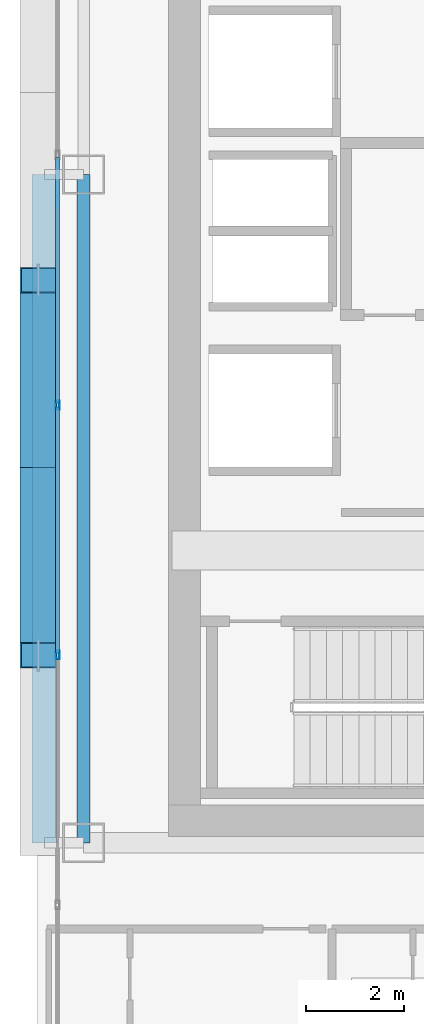
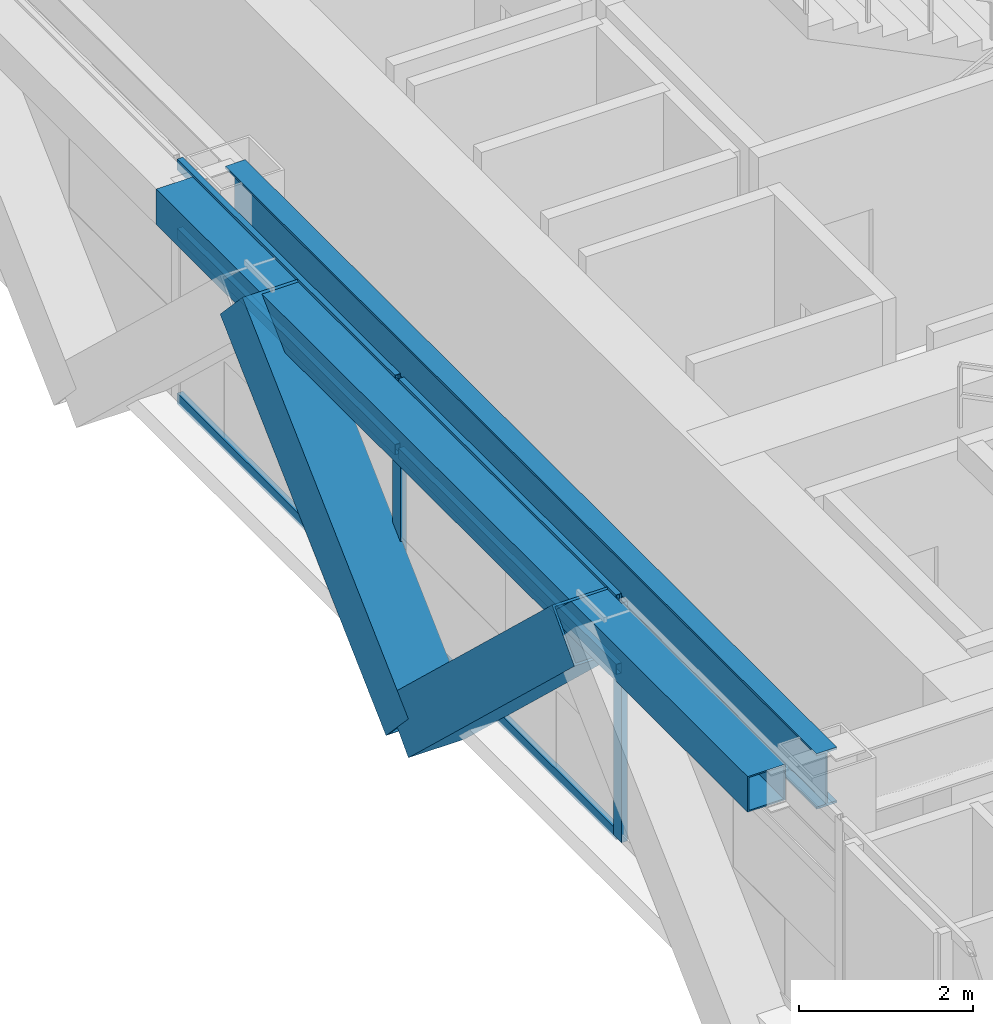
# One storey, part 6 of 36: 10 members, 2 beams, 1 element without a shape of its own.
"""IFC4 building model written with IfcOpenShell, lengths in metres."""

from ifc_helpers import new_model, si_unit, direction, frame, origin, origin_2d, place, context, subcontext, project, spatial, hollow_rectangle, i_section, extrude, source, transform, mapped, material, layer, layer_set, material_profile, profile_set, type_object, element, aggregate, save


model = new_model("IFC4")

# Units and contexts
model_context = context("Model", 3, precision=1e-05, world=origin(), true_north=direction((0.0, 1.0)))
body_context = subcontext(model_context, "Body", "Model", "MODEL_VIEW")
ifc_project = project(units=[si_unit("LENGTHUNIT", "METRE"), si_unit("AREAUNIT", "SQUARE_METRE"), si_unit("VOLUMEUNIT", "CUBIC_METRE"), si_unit("PLANEANGLEUNIT", "RADIAN"), si_unit("MASSUNIT", "GRAM", prefix="KILO")], contexts=[model_context])

# Site, building, storey
site_placement = place(None, origin())
site = spatial("IfcSite", under=ifc_project, at=site_placement, CompositionType="ELEMENT")
building_placement = place(site_placement, origin())
building = spatial("IfcBuilding", under=site, at=building_placement, Name="Ocotamira Hotel", CompositionType="ELEMENT")
storey_placement = place(building_placement, frame((0.0, 0.0, 97.199951171875)))
storey = spatial("IfcBuildingStorey", under=building, at=storey_placement, Name="L23", CompositionType="ELEMENT", Elevation=97.199951171875)

# Beams
ifc_material_1 = material(Name="Steel ASTM A992 Grade 50", Category="steel")
ifc_material_profile_1 = material_profile(ifc_material_1, i_section(OverallWidth=0.26611328125, OverallDepth=0.779052734375, WebThickness=0.0166015625, FlangeThickness=0.030029296875, FilletRadius=0.01806640625, at=origin_2d()), Name="W30X148")
ifc_profile_set_1 = profile_set([ifc_material_profile_1], Name="Steel ASTM A992 Grade 50")
beam_type_1 = type_object("IfcBeamType", Name="BM-GIRD-W30X148", PredefinedType="BEAM", material=ifc_profile_set_1)
shared_shape_1 = source(origin(), body_context, "Body", "SweptSolid", [
    extrude(i_section(OverallWidth=0.26611328125, OverallDepth=0.779052734375, WebThickness=0.0166015625, FlangeThickness=0.030029296875, FilletRadius=0.01806640625, at=origin_2d()), origin(), (0.0, 0.0, 1.0), 13.599853515625),
])
beam_1_placement = place(storey_placement, frame((8.949951171875, 14.550048828125, 2.970458984375), z_axis=(0.0, 1.0, 0.0), x_axis=(-1.0, 0.0, 0.0)))
element("IfcBeam", 1, at=beam_1_placement, inside=storey, type_object=beam_type_1, Name="L23 Beam X8.95 Y14.55-28.15", PredefinedType="BEAM", context=body_context, shape_type="MappedRepresentation", body=[
    mapped(shared_shape_1, transform((0.0, 0.0, 0.0), scale=1.0)),
])
ifc_material_2 = material(Name="Steel ASTM A500 Grade C", Category="steel")
ifc_material_profile_2 = material_profile(ifc_material_2, hollow_rectangle(XDim=0.5, YDim=0.5, WallThickness=0.02001953125, at=origin_2d()), Name="HSS500X500X20")
ifc_profile_set_2 = profile_set([ifc_material_profile_2], Name="Steel ASTM A500 Grade C")
beam_type_2 = type_object("IfcBeamType", Name="BM-SPAN-HSS500", PredefinedType="USERDEFINED", material=ifc_profile_set_2)
shared_shape_2 = source(origin(), body_context, "Body", "SweptSolid", [
    extrude(hollow_rectangle(XDim=0.5, YDim=0.5, WallThickness=0.02001953125, at=origin_2d()), origin(), (0.0, 0.0, 1.0), 13.599853515625),
])
beam_2_placement = place(storey_placement, frame((8.14990234375, 14.550048828125, 3.110107421875), z_axis=(0.0, 1.0, 0.0), x_axis=(-1.0, 0.0, 0.0)))
element("IfcBeam", 2, at=beam_2_placement, inside=storey, type_object=beam_type_2, Name="L23 Edge Spandrel W Y14.55-28.15", ObjectType="SPANDREL", PredefinedType="USERDEFINED", context=body_context, shape_type="MappedRepresentation", body=[
    mapped(shared_shape_2, transform((0.0, 0.0, 0.0), scale=1.0)),
])

# Members
ifc_material_3 = material(Name="Pale-metal coated steel ASTM A913 Grade 65", Category="steel")
ifc_material_profile_3 = material_profile(ifc_material_3, hollow_rectangle(XDim=0.75, YDim=0.75, WallThickness=0.028076171875, at=origin_2d()), Name="BOX750X750X28")
ifc_profile_set_3 = profile_set([ifc_material_profile_3], Name="Pale-metal coated steel ASTM A913 Grade 65")
member_type_1 = type_object("IfcMemberType", Name="MEM-EXO-BOX750", PredefinedType="BRACE", material=ifc_profile_set_3)
shared_shape_3 = source(origin(), body_context, "Body", "SweptSolid", [
    extrude(hollow_rectangle(XDim=0.75, YDim=0.75, WallThickness=0.028076171875, at=origin_2d()), origin(), (0.0, 0.0, 1.0), 5.24658203125),
])
for number, where, z_axis, x_axis, name in (
    (3, (8.030029296875, 22.183349609375, -0.489990234375), (0.0, -0.727442733726, 0.686168397078), (1.0, 0.0, 0.0), "L23 Exoskeleton Diagrid W0.2"),
    (4, (8.030029296875, 22.183349609375, -0.489990234375), (0.0, 0.727442733726, 0.686168397078), (-1.0, 0.0, 0.0), "L23 Exoskeleton Diagrid W1.1"),
):
    element("IfcMember", number, at=place(storey_placement, frame(where, z_axis=z_axis, x_axis=x_axis)), inside=storey, type_object=member_type_1, Name=name, PredefinedType="BRACE", context=body_context, shape_type="MappedRepresentation", body=[
        mapped(shared_shape_3, transform((0.0, 0.0, 0.0), scale=1.0)),
    ])

# Curtain wall, members
ifc_material_4 = material(Name="Anodised pale-metal aluminium and solar glass", Category="aluminium")
ifc_layer = layer(ifc_material_4, 0.179931640625)
ifc_layer_set = layer_set([ifc_layer], Name="Anodised pale-metal aluminium and solar glass")
curtain_wall_type = type_object("IfcCurtainWallType", Name="CW-SYS3-Z2", PredefinedType="NOTDEFINED", material=ifc_layer_set)
curtain_wall_placement = place(storey_placement, origin())
curtain_wall = element("IfcCurtainWall", 5, at=curtain_wall_placement, inside=storey, type_object=curtain_wall_type, Name="L23 Curtain Wall CW-3 CW-L23-W", PredefinedType="NOTDEFINED")
ifc_material_5 = material(Name="Anodised pale-metal aluminium 6063-T6", Category="aluminium")
ifc_material_profile_4 = material_profile(ifc_material_5, hollow_rectangle(XDim=0.074951171875, YDim=0.14990234375, WallThickness=0.006103515625, at=origin_2d()), Name="HSS150X75X6")
ifc_profile_set_4 = profile_set([ifc_material_profile_4], Name="Anodised pale-metal aluminium 6063-T6")
member_type_2 = type_object("IfcMemberType", Name="CWT-150X75", PredefinedType="USERDEFINED", material=ifc_profile_set_4)
shared_shape_4 = source(origin(), body_context, "Body", "SweptSolid", [
    extrude(hollow_rectangle(XDim=0.074951171875, YDim=0.14990234375, WallThickness=0.006103515625, at=origin_2d()), origin(), (0.0, 0.0, 1.0), 5.005859375),
])
member_1_placement = place(storey_placement, frame((8.419921875, 18.411376953125, 0.03759765625), z_axis=(0.0, 1.0, 0.0), x_axis=(-1.0, 0.0, 0.0)))
member_1 = element("IfcMember", 6, at=member_1_placement, type_object=member_type_2, Name="CW-3 transom 3.1", ObjectType="TRANSOM", PredefinedType="USERDEFINED", context=body_context, shape_type="MappedRepresentation", body=[
    mapped(shared_shape_4, transform((0.0, 0.0, 0.0), scale=1.0)),
])
member_2_placement = place(storey_placement, frame((8.419921875, 18.411376953125, 2.35009765625), z_axis=(0.0, 1.0, 0.0), x_axis=(-1.0, 0.0, 0.0)))
member_2 = element("IfcMember", 7, at=member_2_placement, type_object=member_type_2, Name="CW-3 transom 3.2", ObjectType="TRANSOM", PredefinedType="USERDEFINED", context=body_context, shape_type="MappedRepresentation", body=[
    mapped(shared_shape_4, transform((0.0, 0.0, 0.0), scale=1.0)),
])
member_3_placement = place(storey_placement, frame((8.419921875, 18.411376953125, 3.322509765625), z_axis=(0.0, 1.0, 0.0), x_axis=(-1.0, 0.0, 0.0)))
member_3 = element("IfcMember", 8, at=member_3_placement, type_object=member_type_2, Name="CW-3 transom 3.3", ObjectType="TRANSOM", PredefinedType="USERDEFINED", context=body_context, shape_type="MappedRepresentation", body=[
    mapped(shared_shape_4, transform((0.0, 0.0, 0.0), scale=1.0)),
])
member_4_placement = place(storey_placement, frame((8.419921875, 23.4970703125, 0.03759765625), z_axis=(0.0, 1.0, 0.0), x_axis=(-1.0, 0.0, 0.0)))
member_4 = element("IfcMember", 9, at=member_4_placement, type_object=member_type_2, Name="CW-3 transom 4.1", ObjectType="TRANSOM", PredefinedType="USERDEFINED", context=body_context, shape_type="MappedRepresentation", body=[
    mapped(shared_shape_4, transform((0.0, 0.0, 0.0), scale=1.0)),
])
member_5_placement = place(storey_placement, frame((8.419921875, 23.4970703125, 2.35009765625), z_axis=(0.0, 1.0, 0.0), x_axis=(-1.0, 0.0, 0.0)))
member_5 = element("IfcMember", 10, at=member_5_placement, type_object=member_type_2, Name="CW-3 transom 4.2", ObjectType="TRANSOM", PredefinedType="USERDEFINED", context=body_context, shape_type="MappedRepresentation", body=[
    mapped(shared_shape_4, transform((0.0, 0.0, 0.0), scale=1.0)),
])
member_6_placement = place(storey_placement, frame((8.419921875, 23.4970703125, 3.322509765625), z_axis=(0.0, 1.0, 0.0), x_axis=(-1.0, 0.0, 0.0)))
member_6 = element("IfcMember", 11, at=member_6_placement, type_object=member_type_2, Name="CW-3 transom 4.3", ObjectType="TRANSOM", PredefinedType="USERDEFINED", context=body_context, shape_type="MappedRepresentation", body=[
    mapped(shared_shape_4, transform((0.0, 0.0, 0.0), scale=1.0)),
])
ifc_material_profile_5 = material_profile(ifc_material_5, hollow_rectangle(XDim=0.080078125, YDim=0.179931640625, WallThickness=0.006103515625, at=origin_2d()), Name="HSS180X80X6")
ifc_profile_set_5 = profile_set([ifc_material_profile_5], Name="Anodised pale-metal aluminium 6063-T6")
member_type_3 = type_object("IfcMemberType", Name="CWM-180X75", PredefinedType="MULLION", material=ifc_profile_set_5)
shared_shape_5 = source(origin(), body_context, "Body", "SweptSolid", [
    extrude(hollow_rectangle(XDim=0.080078125, YDim=0.179931640625, WallThickness=0.006103515625, at=origin_2d()), origin(), (0.0, 0.0, 1.0), 3.360107421875),
])
member_7_placement = place(storey_placement, frame((8.419921875, 18.371337890625, 0.0), z_axis=(0.0, 0.0, 1.0), x_axis=(-1.0, 0.0, 0.0)))
member_7 = element("IfcMember", 12, at=member_7_placement, type_object=member_type_3, Name="CW-3 mullion 3", PredefinedType="MULLION", context=body_context, shape_type="MappedRepresentation", body=[
    mapped(shared_shape_5, transform((0.0, 0.0, 0.0), scale=1.0)),
])
member_8_placement = place(storey_placement, frame((8.419921875, 23.45703125, 0.0), z_axis=(0.0, 0.0, 1.0), x_axis=(-1.0, 0.0, 0.0)))
member_8 = element("IfcMember", 13, at=member_8_placement, type_object=member_type_3, Name="CW-3 mullion 4", PredefinedType="MULLION", context=body_context, shape_type="MappedRepresentation", body=[
    mapped(shared_shape_5, transform((0.0, 0.0, 0.0), scale=1.0)),
])
aggregate(curtain_wall, [member_7, member_8, member_1, member_2, member_3, member_4, member_5, member_6])

save(model, "model.ifc")
